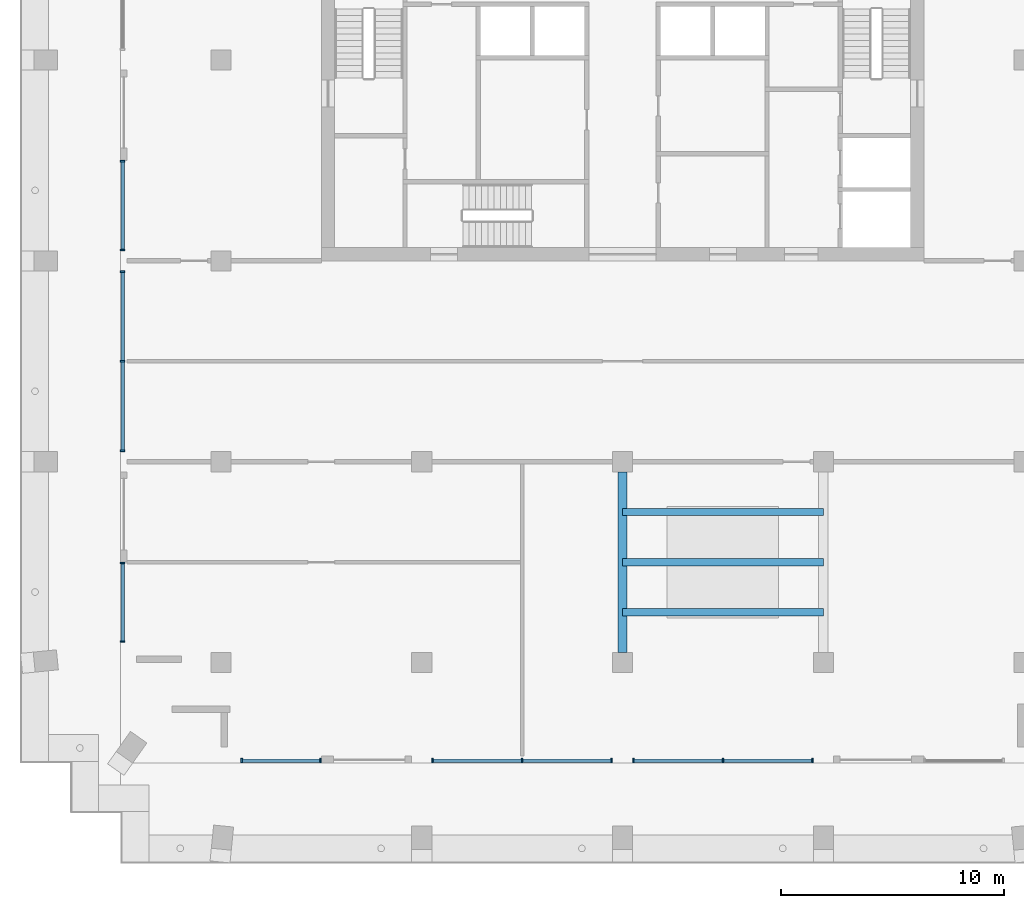
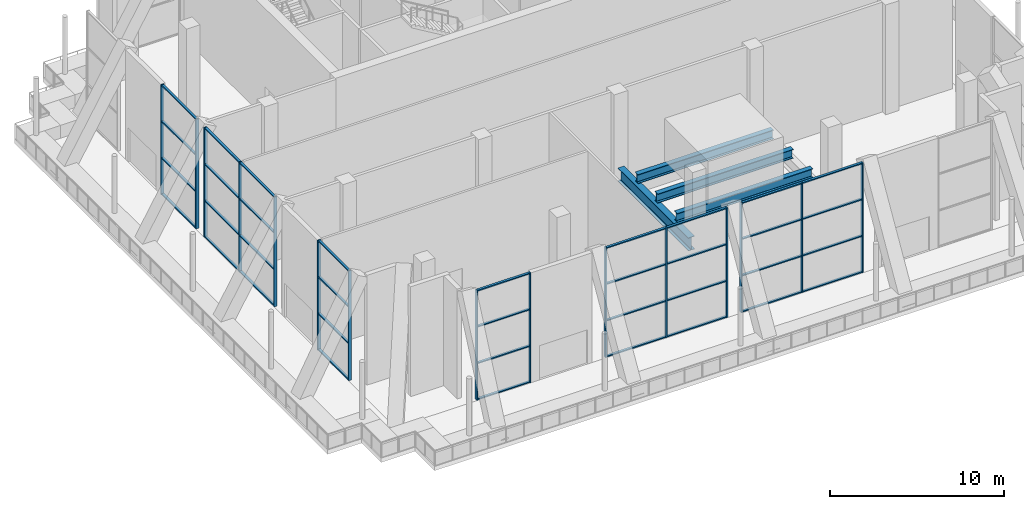
# One storey, part 2 of 12: 51 members, 4 beams, 6 elements without a shape of their own.
"""IFC4 building model written with IfcOpenShell, lengths in metres."""

from ifc_helpers import new_model, si_unit, direction, frame, origin, origin_2d, place, context, subcontext, project, spatial, rectangle, i_section, extrude, material, material_profile, profile_set, type_object, element, aggregate, save


model = new_model("IFC4")

# Units and contexts
model_context = context("Model", 3, precision=1e-05, world=origin(), true_north=direction((0.0, 1.0)))
body_context = subcontext(model_context, "Body", "Model", "MODEL_VIEW")
ifc_project = project(units=[si_unit("LENGTHUNIT", "METRE"), si_unit("AREAUNIT", "SQUARE_METRE"), si_unit("VOLUMEUNIT", "CUBIC_METRE"), si_unit("PLANEANGLEUNIT", "RADIAN"), si_unit("MASSUNIT", "GRAM", prefix="KILO")], contexts=[model_context])

# Site, building, storey
site_placement = place(None, origin())
site = spatial("IfcSite", under=ifc_project, at=site_placement, CompositionType="ELEMENT")
building_placement = place(site_placement, origin())
building = spatial("IfcBuilding", under=site, at=building_placement, Name="Orbiselva Terraces", CompositionType="ELEMENT")
storey_placement = place(building_placement, frame((0.0, 0.0, 289.4)))
storey = spatial("IfcBuildingStorey", under=building, at=storey_placement, Name="L73", CompositionType="ELEMENT", Elevation=289.4)

# Beams
ifc_material_1 = material(Name="Steel ASTM A992 Grade 50", Category="steel")
ifc_material_profile_1 = material_profile(ifc_material_1, i_section(OverallWidth=0.328, OverallDepth=0.64, WebThickness=0.0191, FlangeThickness=0.034, FilletRadius=0.0127, at=origin_2d()), Name="W610X262")
ifc_profile_set_1 = profile_set([ifc_material_profile_1], Name="Steel ASTM A992 Grade 50")
beam_type_1 = type_object("IfcBeamType", Name="DAMPER CROSS BEAM W610X262", PredefinedType="BEAM", material=ifc_profile_set_1)
for number, where, z_axis, x_axis, name in (
    (1, (0.0, -11.25, 2.82), (1.0, 0.0, 0.0), (0.0, 1.0, 0.0), "Damper cross beam 1"),
    (2, (0.0, -9.0, 2.82), (1.0, 0.0, 0.0), (0.0, 1.0, 0.0), "Damper cross beam 2"),
    (3, (0.0, -6.75, 2.82), (1.0, 0.0, 0.0), (0.0, 1.0, 0.0), "Damper cross beam 3"),
):
    element("IfcBeam", number, at=place(storey_placement, frame(where, z_axis=z_axis, x_axis=x_axis)), inside=storey, type_object=beam_type_1, Name=name, PredefinedType="BEAM", context=body_context, shape_type="SweptSolid", body=[
        extrude(i_section(OverallWidth=0.328, OverallDepth=0.64, WebThickness=0.0191, FlangeThickness=0.034, FilletRadius=0.0127, at=origin_2d()), origin(), (0.0, 0.0, 1.0), 9.0),
    ])
ifc_material_profile_2 = material_profile(ifc_material_1, i_section(OverallWidth=0.419, OverallDepth=0.932, WebThickness=0.0203, FlangeThickness=0.0343, FilletRadius=0.0241, at=origin_2d()), Name="W920X368")
ifc_profile_set_2 = profile_set([ifc_material_profile_2], Name="Steel ASTM A992 Grade 50")
beam_type_2 = type_object("IfcBeamType", Name="DAMPER GIRDER W920X368", PredefinedType="BEAM", material=ifc_profile_set_2)
beam_placement = place(storey_placement, frame((0.0, -13.05, 2.034), z_axis=(0.0, 1.0, 0.0), x_axis=(-1.0, 0.0, 0.0)))
element("IfcBeam", 4, at=beam_placement, inside=storey, type_object=beam_type_2, Name="Damper girder 1", PredefinedType="BEAM", context=body_context, shape_type="SweptSolid", body=[
    extrude(i_section(OverallWidth=0.419, OverallDepth=0.932, WebThickness=0.0203, FlangeThickness=0.0343, FilletRadius=0.0241, at=origin_2d()), origin(), (0.0, 0.0, 1.0), 8.1),
])

# Curtain wall, members
ifc_material_2 = material(Name="Clear low-e glazing in aluminium frame", Category="aluminium")
curtain_wall_type = type_object("IfcCurtainWallType", Name="ENV-CW-TMD", PredefinedType="NOTDEFINED", material=ifc_material_2)
curtain_wall_1_placement = place(storey_placement, origin())
curtain_wall_1 = element("IfcCurtainWall", 5, at=curtain_wall_1_placement, inside=storey, type_object=curtain_wall_type, Name="Curtain wall L73 S", PredefinedType="NOTDEFINED")
ifc_material_3 = material(Name="Anodised aluminium", Category="aluminium")
ifc_material_profile_3 = material_profile(ifc_material_3, rectangle(XDim=0.2, YDim=0.075, at=origin_2d()), Name="AL 75x200")
ifc_profile_set_3 = profile_set([ifc_material_profile_3], Name="Anodised aluminium")
member_type_1 = type_object("IfcMemberType", Name="ENV-CW-TMD-MULLION-75x200", PredefinedType="MULLION", material=ifc_profile_set_3)
member_1_placement = place(storey_placement, frame((-17.0625, -17.9, 0.0), z_axis=(0.0, 0.0, 1.0), x_axis=(0.0, 1.0, 0.0)))
member_1 = element("IfcMember", 6, at=member_1_placement, type_object=member_type_1, Name="CW4 mullion 1", PredefinedType="MULLION", context=body_context, shape_type="SweptSolid", body=[
    extrude(rectangle(XDim=0.2, YDim=0.075, at=origin_2d()), origin(), (0.0, 0.0, 1.0), 7.7),
])
member_2_placement = place(storey_placement, frame((-13.5375, -17.9, 0.0), z_axis=(0.0, 0.0, 1.0), x_axis=(0.0, 1.0, 0.0)))
member_2 = element("IfcMember", 7, at=member_2_placement, type_object=member_type_1, Name="CW4 mullion 2", PredefinedType="MULLION", context=body_context, shape_type="SweptSolid", body=[
    extrude(rectangle(XDim=0.2, YDim=0.075, at=origin_2d()), origin(), (0.0, 0.0, 1.0), 7.7),
])

curtain_wall_2_placement = place(storey_placement, origin())
curtain_wall_2 = element("IfcCurtainWall", 8, at=curtain_wall_2_placement, inside=storey, type_object=curtain_wall_type, Name="Curtain wall L73 S", PredefinedType="NOTDEFINED")
member_3_placement = place(storey_placement, frame((-8.5125, -17.9, 0.0), z_axis=(0.0, 0.0, 1.0), x_axis=(0.0, 1.0, 0.0)))
member_3 = element("IfcMember", 9, at=member_3_placement, type_object=member_type_1, Name="CW4 mullion 1", PredefinedType="MULLION", context=body_context, shape_type="SweptSolid", body=[
    extrude(rectangle(XDim=0.2, YDim=0.075, at=origin_2d()), origin(), (0.0, 0.0, 1.0), 7.7),
])
member_4_placement = place(storey_placement, frame((-4.5, -17.9, 0.0), z_axis=(0.0, 0.0, 1.0), x_axis=(0.0, 1.0, 0.0)))
member_4 = element("IfcMember", 10, at=member_4_placement, type_object=member_type_1, Name="CW4 mullion 2", PredefinedType="MULLION", context=body_context, shape_type="SweptSolid", body=[
    extrude(rectangle(XDim=0.2, YDim=0.075, at=origin_2d()), origin(), (0.0, 0.0, 1.0), 7.7),
])
member_5_placement = place(storey_placement, frame((-0.4875, -17.9, 0.0), z_axis=(0.0, 0.0, 1.0), x_axis=(0.0, 1.0, 0.0)))
member_5 = element("IfcMember", 11, at=member_5_placement, type_object=member_type_1, Name="CW4 mullion 3", PredefinedType="MULLION", context=body_context, shape_type="SweptSolid", body=[
    extrude(rectangle(XDim=0.2, YDim=0.075, at=origin_2d()), origin(), (0.0, 0.0, 1.0), 7.7),
])

curtain_wall_3_placement = place(storey_placement, origin())
curtain_wall_3 = element("IfcCurtainWall", 12, at=curtain_wall_3_placement, inside=storey, type_object=curtain_wall_type, Name="Curtain wall L73 S", PredefinedType="NOTDEFINED")
member_6_placement = place(storey_placement, frame((0.4875, -17.9, 0.0), z_axis=(0.0, 0.0, 1.0), x_axis=(0.0, 1.0, 0.0)))
member_6 = element("IfcMember", 13, at=member_6_placement, type_object=member_type_1, Name="CW4 mullion 1", PredefinedType="MULLION", context=body_context, shape_type="SweptSolid", body=[
    extrude(rectangle(XDim=0.2, YDim=0.075, at=origin_2d()), origin(), (0.0, 0.0, 1.0), 7.7),
])
member_7_placement = place(storey_placement, frame((4.5, -17.9, 0.0), z_axis=(0.0, 0.0, 1.0), x_axis=(0.0, 1.0, 0.0)))
member_7 = element("IfcMember", 14, at=member_7_placement, type_object=member_type_1, Name="CW4 mullion 2", PredefinedType="MULLION", context=body_context, shape_type="SweptSolid", body=[
    extrude(rectangle(XDim=0.2, YDim=0.075, at=origin_2d()), origin(), (0.0, 0.0, 1.0), 7.7),
])
member_8_placement = place(storey_placement, frame((8.5125, -17.9, 0.0), z_axis=(0.0, 0.0, 1.0), x_axis=(0.0, 1.0, 0.0)))
member_8 = element("IfcMember", 15, at=member_8_placement, type_object=member_type_1, Name="CW4 mullion 3", PredefinedType="MULLION", context=body_context, shape_type="SweptSolid", body=[
    extrude(rectangle(XDim=0.2, YDim=0.075, at=origin_2d()), origin(), (0.0, 0.0, 1.0), 7.7),
])

curtain_wall_4_placement = place(storey_placement, origin())
curtain_wall_4 = element("IfcCurtainWall", 16, at=curtain_wall_4_placement, inside=storey, type_object=curtain_wall_type, Name="Curtain wall L73 W", PredefinedType="NOTDEFINED")
member_9_placement = place(storey_placement, frame((-22.4, 8.9625, 0.0), z_axis=(0.0, 0.0, 1.0), x_axis=(1.0, 0.0, 0.0)))
member_9 = element("IfcMember", 17, at=member_9_placement, type_object=member_type_1, Name="CW4 mullion 1", PredefinedType="MULLION", context=body_context, shape_type="SweptSolid", body=[
    extrude(rectangle(XDim=0.2, YDim=0.075, at=origin_2d()), origin(), (0.0, 0.0, 1.0), 7.7),
])
member_10_placement = place(storey_placement, frame((-22.4, 4.9875, 0.0), z_axis=(0.0, 0.0, 1.0), x_axis=(1.0, 0.0, 0.0)))
member_10 = element("IfcMember", 18, at=member_10_placement, type_object=member_type_1, Name="CW4 mullion 2", PredefinedType="MULLION", context=body_context, shape_type="SweptSolid", body=[
    extrude(rectangle(XDim=0.2, YDim=0.075, at=origin_2d()), origin(), (0.0, 0.0, 1.0), 7.7),
])

curtain_wall_5_placement = place(storey_placement, origin())
curtain_wall_5 = element("IfcCurtainWall", 19, at=curtain_wall_5_placement, inside=storey, type_object=curtain_wall_type, Name="Curtain wall L73 W", PredefinedType="NOTDEFINED")
member_11_placement = place(storey_placement, frame((-22.4, 4.0125, 0.0), z_axis=(0.0, 0.0, 1.0), x_axis=(1.0, 0.0, 0.0)))
member_11 = element("IfcMember", 20, at=member_11_placement, type_object=member_type_1, Name="CW4 mullion 1", PredefinedType="MULLION", context=body_context, shape_type="SweptSolid", body=[
    extrude(rectangle(XDim=0.2, YDim=0.075, at=origin_2d()), origin(), (0.0, 0.0, 1.0), 7.7),
])
member_12_placement = place(storey_placement, frame((-22.4, 0.0, 0.0), z_axis=(0.0, 0.0, 1.0), x_axis=(1.0, 0.0, 0.0)))
member_12 = element("IfcMember", 21, at=member_12_placement, type_object=member_type_1, Name="CW4 mullion 2", PredefinedType="MULLION", context=body_context, shape_type="SweptSolid", body=[
    extrude(rectangle(XDim=0.2, YDim=0.075, at=origin_2d()), origin(), (0.0, 0.0, 1.0), 7.7),
])
member_13_placement = place(storey_placement, frame((-22.4, -4.0125, 0.0), z_axis=(0.0, 0.0, 1.0), x_axis=(1.0, 0.0, 0.0)))
member_13 = element("IfcMember", 22, at=member_13_placement, type_object=member_type_1, Name="CW4 mullion 3", PredefinedType="MULLION", context=body_context, shape_type="SweptSolid", body=[
    extrude(rectangle(XDim=0.2, YDim=0.075, at=origin_2d()), origin(), (0.0, 0.0, 1.0), 7.7),
])

curtain_wall_6_placement = place(storey_placement, origin())
curtain_wall_6 = element("IfcCurtainWall", 23, at=curtain_wall_6_placement, inside=storey, type_object=curtain_wall_type, Name="Curtain wall L73 W", PredefinedType="NOTDEFINED")
member_14_placement = place(storey_placement, frame((-22.4, -9.0375, 0.0), z_axis=(0.0, 0.0, 1.0), x_axis=(1.0, 0.0, 0.0)))
member_14 = element("IfcMember", 24, at=member_14_placement, type_object=member_type_1, Name="CW4 mullion 1", PredefinedType="MULLION", context=body_context, shape_type="SweptSolid", body=[
    extrude(rectangle(XDim=0.2, YDim=0.075, at=origin_2d()), origin(), (0.0, 0.0, 1.0), 7.7),
])
member_15_placement = place(storey_placement, frame((-22.4, -12.5625, 0.0), z_axis=(0.0, 0.0, 1.0), x_axis=(1.0, 0.0, 0.0)))
member_15 = element("IfcMember", 25, at=member_15_placement, type_object=member_type_1, Name="CW4 mullion 2", PredefinedType="MULLION", context=body_context, shape_type="SweptSolid", body=[
    extrude(rectangle(XDim=0.2, YDim=0.075, at=origin_2d()), origin(), (0.0, 0.0, 1.0), 7.7),
])

# Member
ifc_material_profile_4 = material_profile(ifc_material_3, rectangle(XDim=0.16, YDim=0.075, at=origin_2d()), Name="AL 75x160")
ifc_profile_set_4 = profile_set([ifc_material_profile_4], Name="Anodised aluminium")
member_type_2 = type_object("IfcMemberType", Name="ENV-CW-TMD-TRANSOM-75x160", PredefinedType="USERDEFINED", material=ifc_profile_set_4)
member_16_placement = place(storey_placement, frame((-17.025, -17.9, 0.0375), z_axis=(1.0, 0.0, 0.0), x_axis=(0.0, 1.0, 0.0)))
member_16 = element("IfcMember", 26, at=member_16_placement, type_object=member_type_2, Name="CW4 transom 1.1", ObjectType="TRANSOM", PredefinedType="USERDEFINED", context=body_context, shape_type="SweptSolid", body=[
    extrude(rectangle(XDim=0.16, YDim=0.075, at=origin_2d()), origin(), (0.0, 0.0, 1.0), 3.45),
])

member_17_placement = place(storey_placement, frame((-17.025, -17.9, 2.566667), z_axis=(1.0, 0.0, 0.0), x_axis=(0.0, 1.0, 0.0)))
member_17 = element("IfcMember", 27, at=member_17_placement, type_object=member_type_2, Name="CW4 transom 1.2", ObjectType="TRANSOM", PredefinedType="USERDEFINED", context=body_context, shape_type="SweptSolid", body=[
    extrude(rectangle(XDim=0.16, YDim=0.075, at=origin_2d()), origin(), (0.0, 0.0, 1.0), 3.45),
])

member_18_placement = place(storey_placement, frame((-17.025, -17.9, 5.133333), z_axis=(1.0, 0.0, 0.0), x_axis=(0.0, 1.0, 0.0)))
member_18 = element("IfcMember", 28, at=member_18_placement, type_object=member_type_2, Name="CW4 transom 1.3", ObjectType="TRANSOM", PredefinedType="USERDEFINED", context=body_context, shape_type="SweptSolid", body=[
    extrude(rectangle(XDim=0.16, YDim=0.075, at=origin_2d()), origin(), (0.0, 0.0, 1.0), 3.45),
])

member_19_placement = place(storey_placement, frame((-17.025, -17.9, 7.6625), z_axis=(1.0, 0.0, 0.0), x_axis=(0.0, 1.0, 0.0)))
member_19 = element("IfcMember", 29, at=member_19_placement, type_object=member_type_2, Name="CW4 transom 1.4", ObjectType="TRANSOM", PredefinedType="USERDEFINED", context=body_context, shape_type="SweptSolid", body=[
    extrude(rectangle(XDim=0.16, YDim=0.075, at=origin_2d()), origin(), (0.0, 0.0, 1.0), 3.45),
])

aggregate(curtain_wall_1, [member_1, member_2, member_16, member_17, member_18, member_19])

member_20_placement = place(storey_placement, frame((-8.475, -17.9, 0.0375), z_axis=(1.0, 0.0, 0.0), x_axis=(0.0, 1.0, 0.0)))
member_20 = element("IfcMember", 30, at=member_20_placement, type_object=member_type_2, Name="CW4 transom 1.1", ObjectType="TRANSOM", PredefinedType="USERDEFINED", context=body_context, shape_type="SweptSolid", body=[
    extrude(rectangle(XDim=0.16, YDim=0.075, at=origin_2d()), origin(), (0.0, 0.0, 1.0), 3.9375),
])

member_21_placement = place(storey_placement, frame((-8.475, -17.9, 2.566667), z_axis=(1.0, 0.0, 0.0), x_axis=(0.0, 1.0, 0.0)))
member_21 = element("IfcMember", 31, at=member_21_placement, type_object=member_type_2, Name="CW4 transom 1.2", ObjectType="TRANSOM", PredefinedType="USERDEFINED", context=body_context, shape_type="SweptSolid", body=[
    extrude(rectangle(XDim=0.16, YDim=0.075, at=origin_2d()), origin(), (0.0, 0.0, 1.0), 3.9375),
])

member_22_placement = place(storey_placement, frame((-8.475, -17.9, 5.133333), z_axis=(1.0, 0.0, 0.0), x_axis=(0.0, 1.0, 0.0)))
member_22 = element("IfcMember", 32, at=member_22_placement, type_object=member_type_2, Name="CW4 transom 1.3", ObjectType="TRANSOM", PredefinedType="USERDEFINED", context=body_context, shape_type="SweptSolid", body=[
    extrude(rectangle(XDim=0.16, YDim=0.075, at=origin_2d()), origin(), (0.0, 0.0, 1.0), 3.9375),
])

member_23_placement = place(storey_placement, frame((-8.475, -17.9, 7.6625), z_axis=(1.0, 0.0, 0.0), x_axis=(0.0, 1.0, 0.0)))
member_23 = element("IfcMember", 33, at=member_23_placement, type_object=member_type_2, Name="CW4 transom 1.4", ObjectType="TRANSOM", PredefinedType="USERDEFINED", context=body_context, shape_type="SweptSolid", body=[
    extrude(rectangle(XDim=0.16, YDim=0.075, at=origin_2d()), origin(), (0.0, 0.0, 1.0), 3.9375),
])

member_24_placement = place(storey_placement, frame((-4.4625, -17.9, 0.0375), z_axis=(1.0, 0.0, 0.0), x_axis=(0.0, 1.0, 0.0)))
member_24 = element("IfcMember", 34, at=member_24_placement, type_object=member_type_2, Name="CW4 transom 2.1", ObjectType="TRANSOM", PredefinedType="USERDEFINED", context=body_context, shape_type="SweptSolid", body=[
    extrude(rectangle(XDim=0.16, YDim=0.075, at=origin_2d()), origin(), (0.0, 0.0, 1.0), 3.9375),
])

member_25_placement = place(storey_placement, frame((-4.4625, -17.9, 2.566667), z_axis=(1.0, 0.0, 0.0), x_axis=(0.0, 1.0, 0.0)))
member_25 = element("IfcMember", 35, at=member_25_placement, type_object=member_type_2, Name="CW4 transom 2.2", ObjectType="TRANSOM", PredefinedType="USERDEFINED", context=body_context, shape_type="SweptSolid", body=[
    extrude(rectangle(XDim=0.16, YDim=0.075, at=origin_2d()), origin(), (0.0, 0.0, 1.0), 3.9375),
])

member_26_placement = place(storey_placement, frame((-4.4625, -17.9, 5.133333), z_axis=(1.0, 0.0, 0.0), x_axis=(0.0, 1.0, 0.0)))
member_26 = element("IfcMember", 36, at=member_26_placement, type_object=member_type_2, Name="CW4 transom 2.3", ObjectType="TRANSOM", PredefinedType="USERDEFINED", context=body_context, shape_type="SweptSolid", body=[
    extrude(rectangle(XDim=0.16, YDim=0.075, at=origin_2d()), origin(), (0.0, 0.0, 1.0), 3.9375),
])

member_27_placement = place(storey_placement, frame((-4.4625, -17.9, 7.6625), z_axis=(1.0, 0.0, 0.0), x_axis=(0.0, 1.0, 0.0)))
member_27 = element("IfcMember", 37, at=member_27_placement, type_object=member_type_2, Name="CW4 transom 2.4", ObjectType="TRANSOM", PredefinedType="USERDEFINED", context=body_context, shape_type="SweptSolid", body=[
    extrude(rectangle(XDim=0.16, YDim=0.075, at=origin_2d()), origin(), (0.0, 0.0, 1.0), 3.9375),
])

aggregate(curtain_wall_2, [member_3, member_4, member_5, member_20, member_21, member_22, member_23, member_24, member_25, member_26, member_27])

member_28_placement = place(storey_placement, frame((0.525, -17.9, 0.0375), z_axis=(1.0, 0.0, 0.0), x_axis=(0.0, 1.0, 0.0)))
member_28 = element("IfcMember", 38, at=member_28_placement, type_object=member_type_2, Name="CW4 transom 1.1", ObjectType="TRANSOM", PredefinedType="USERDEFINED", context=body_context, shape_type="SweptSolid", body=[
    extrude(rectangle(XDim=0.16, YDim=0.075, at=origin_2d()), origin(), (0.0, 0.0, 1.0), 3.9375),
])

member_29_placement = place(storey_placement, frame((0.525, -17.9, 2.566667), z_axis=(1.0, 0.0, 0.0), x_axis=(0.0, 1.0, 0.0)))
member_29 = element("IfcMember", 39, at=member_29_placement, type_object=member_type_2, Name="CW4 transom 1.2", ObjectType="TRANSOM", PredefinedType="USERDEFINED", context=body_context, shape_type="SweptSolid", body=[
    extrude(rectangle(XDim=0.16, YDim=0.075, at=origin_2d()), origin(), (0.0, 0.0, 1.0), 3.9375),
])

member_30_placement = place(storey_placement, frame((0.525, -17.9, 5.133333), z_axis=(1.0, 0.0, 0.0), x_axis=(0.0, 1.0, 0.0)))
member_30 = element("IfcMember", 40, at=member_30_placement, type_object=member_type_2, Name="CW4 transom 1.3", ObjectType="TRANSOM", PredefinedType="USERDEFINED", context=body_context, shape_type="SweptSolid", body=[
    extrude(rectangle(XDim=0.16, YDim=0.075, at=origin_2d()), origin(), (0.0, 0.0, 1.0), 3.9375),
])

member_31_placement = place(storey_placement, frame((0.525, -17.9, 7.6625), z_axis=(1.0, 0.0, 0.0), x_axis=(0.0, 1.0, 0.0)))
member_31 = element("IfcMember", 41, at=member_31_placement, type_object=member_type_2, Name="CW4 transom 1.4", ObjectType="TRANSOM", PredefinedType="USERDEFINED", context=body_context, shape_type="SweptSolid", body=[
    extrude(rectangle(XDim=0.16, YDim=0.075, at=origin_2d()), origin(), (0.0, 0.0, 1.0), 3.9375),
])

member_32_placement = place(storey_placement, frame((4.5375, -17.9, 0.0375), z_axis=(1.0, 0.0, 0.0), x_axis=(0.0, 1.0, 0.0)))
member_32 = element("IfcMember", 42, at=member_32_placement, type_object=member_type_2, Name="CW4 transom 2.1", ObjectType="TRANSOM", PredefinedType="USERDEFINED", context=body_context, shape_type="SweptSolid", body=[
    extrude(rectangle(XDim=0.16, YDim=0.075, at=origin_2d()), origin(), (0.0, 0.0, 1.0), 3.9375),
])

member_33_placement = place(storey_placement, frame((4.5375, -17.9, 2.566667), z_axis=(1.0, 0.0, 0.0), x_axis=(0.0, 1.0, 0.0)))
member_33 = element("IfcMember", 43, at=member_33_placement, type_object=member_type_2, Name="CW4 transom 2.2", ObjectType="TRANSOM", PredefinedType="USERDEFINED", context=body_context, shape_type="SweptSolid", body=[
    extrude(rectangle(XDim=0.16, YDim=0.075, at=origin_2d()), origin(), (0.0, 0.0, 1.0), 3.9375),
])

member_34_placement = place(storey_placement, frame((4.5375, -17.9, 5.133333), z_axis=(1.0, 0.0, 0.0), x_axis=(0.0, 1.0, 0.0)))
member_34 = element("IfcMember", 44, at=member_34_placement, type_object=member_type_2, Name="CW4 transom 2.3", ObjectType="TRANSOM", PredefinedType="USERDEFINED", context=body_context, shape_type="SweptSolid", body=[
    extrude(rectangle(XDim=0.16, YDim=0.075, at=origin_2d()), origin(), (0.0, 0.0, 1.0), 3.9375),
])

member_35_placement = place(storey_placement, frame((4.5375, -17.9, 7.6625), z_axis=(1.0, 0.0, 0.0), x_axis=(0.0, 1.0, 0.0)))
member_35 = element("IfcMember", 45, at=member_35_placement, type_object=member_type_2, Name="CW4 transom 2.4", ObjectType="TRANSOM", PredefinedType="USERDEFINED", context=body_context, shape_type="SweptSolid", body=[
    extrude(rectangle(XDim=0.16, YDim=0.075, at=origin_2d()), origin(), (0.0, 0.0, 1.0), 3.9375),
])

aggregate(curtain_wall_3, [member_6, member_7, member_8, member_28, member_29, member_30, member_31, member_32, member_33, member_34, member_35])

member_36_placement = place(storey_placement, frame((-22.4, 8.925, 0.0375), z_axis=(0.0, -1.0, 0.0), x_axis=(1.0, 0.0, 0.0)))
member_36 = element("IfcMember", 46, at=member_36_placement, type_object=member_type_2, Name="CW4 transom 1.1", ObjectType="TRANSOM", PredefinedType="USERDEFINED", context=body_context, shape_type="SweptSolid", body=[
    extrude(rectangle(XDim=0.16, YDim=0.075, at=origin_2d()), origin(), (0.0, 0.0, 1.0), 3.9),
])

member_37_placement = place(storey_placement, frame((-22.4, 8.925, 2.566667), z_axis=(0.0, -1.0, 0.0), x_axis=(1.0, 0.0, 0.0)))
member_37 = element("IfcMember", 47, at=member_37_placement, type_object=member_type_2, Name="CW4 transom 1.2", ObjectType="TRANSOM", PredefinedType="USERDEFINED", context=body_context, shape_type="SweptSolid", body=[
    extrude(rectangle(XDim=0.16, YDim=0.075, at=origin_2d()), origin(), (0.0, 0.0, 1.0), 3.9),
])

member_38_placement = place(storey_placement, frame((-22.4, 8.925, 5.133333), z_axis=(0.0, -1.0, 0.0), x_axis=(1.0, 0.0, 0.0)))
member_38 = element("IfcMember", 48, at=member_38_placement, type_object=member_type_2, Name="CW4 transom 1.3", ObjectType="TRANSOM", PredefinedType="USERDEFINED", context=body_context, shape_type="SweptSolid", body=[
    extrude(rectangle(XDim=0.16, YDim=0.075, at=origin_2d()), origin(), (0.0, 0.0, 1.0), 3.9),
])

member_39_placement = place(storey_placement, frame((-22.4, 8.925, 7.6625), z_axis=(0.0, -1.0, 0.0), x_axis=(1.0, 0.0, 0.0)))
member_39 = element("IfcMember", 49, at=member_39_placement, type_object=member_type_2, Name="CW4 transom 1.4", ObjectType="TRANSOM", PredefinedType="USERDEFINED", context=body_context, shape_type="SweptSolid", body=[
    extrude(rectangle(XDim=0.16, YDim=0.075, at=origin_2d()), origin(), (0.0, 0.0, 1.0), 3.9),
])

aggregate(curtain_wall_4, [member_9, member_10, member_36, member_37, member_38, member_39])

member_40_placement = place(storey_placement, frame((-22.4, 3.975, 0.0375), z_axis=(0.0, -1.0, 0.0), x_axis=(1.0, 0.0, 0.0)))
member_40 = element("IfcMember", 50, at=member_40_placement, type_object=member_type_2, Name="CW4 transom 1.1", ObjectType="TRANSOM", PredefinedType="USERDEFINED", context=body_context, shape_type="SweptSolid", body=[
    extrude(rectangle(XDim=0.16, YDim=0.075, at=origin_2d()), origin(), (0.0, 0.0, 1.0), 3.9375),
])

member_41_placement = place(storey_placement, frame((-22.4, 3.975, 2.566667), z_axis=(0.0, -1.0, 0.0), x_axis=(1.0, 0.0, 0.0)))
member_41 = element("IfcMember", 51, at=member_41_placement, type_object=member_type_2, Name="CW4 transom 1.2", ObjectType="TRANSOM", PredefinedType="USERDEFINED", context=body_context, shape_type="SweptSolid", body=[
    extrude(rectangle(XDim=0.16, YDim=0.075, at=origin_2d()), origin(), (0.0, 0.0, 1.0), 3.9375),
])

member_42_placement = place(storey_placement, frame((-22.4, 3.975, 5.133333), z_axis=(0.0, -1.0, 0.0), x_axis=(1.0, 0.0, 0.0)))
member_42 = element("IfcMember", 52, at=member_42_placement, type_object=member_type_2, Name="CW4 transom 1.3", ObjectType="TRANSOM", PredefinedType="USERDEFINED", context=body_context, shape_type="SweptSolid", body=[
    extrude(rectangle(XDim=0.16, YDim=0.075, at=origin_2d()), origin(), (0.0, 0.0, 1.0), 3.9375),
])

member_43_placement = place(storey_placement, frame((-22.4, 3.975, 7.6625), z_axis=(0.0, -1.0, 0.0), x_axis=(1.0, 0.0, 0.0)))
member_43 = element("IfcMember", 53, at=member_43_placement, type_object=member_type_2, Name="CW4 transom 1.4", ObjectType="TRANSOM", PredefinedType="USERDEFINED", context=body_context, shape_type="SweptSolid", body=[
    extrude(rectangle(XDim=0.16, YDim=0.075, at=origin_2d()), origin(), (0.0, 0.0, 1.0), 3.9375),
])

member_44_placement = place(storey_placement, frame((-22.4, -0.0375, 0.0375), z_axis=(0.0, -1.0, 0.0), x_axis=(1.0, 0.0, 0.0)))
member_44 = element("IfcMember", 54, at=member_44_placement, type_object=member_type_2, Name="CW4 transom 2.1", ObjectType="TRANSOM", PredefinedType="USERDEFINED", context=body_context, shape_type="SweptSolid", body=[
    extrude(rectangle(XDim=0.16, YDim=0.075, at=origin_2d()), origin(), (0.0, 0.0, 1.0), 3.9375),
])

member_45_placement = place(storey_placement, frame((-22.4, -0.0375, 2.566667), z_axis=(0.0, -1.0, 0.0), x_axis=(1.0, 0.0, 0.0)))
member_45 = element("IfcMember", 55, at=member_45_placement, type_object=member_type_2, Name="CW4 transom 2.2", ObjectType="TRANSOM", PredefinedType="USERDEFINED", context=body_context, shape_type="SweptSolid", body=[
    extrude(rectangle(XDim=0.16, YDim=0.075, at=origin_2d()), origin(), (0.0, 0.0, 1.0), 3.9375),
])

member_46_placement = place(storey_placement, frame((-22.4, -0.0375, 5.133333), z_axis=(0.0, -1.0, 0.0), x_axis=(1.0, 0.0, 0.0)))
member_46 = element("IfcMember", 56, at=member_46_placement, type_object=member_type_2, Name="CW4 transom 2.3", ObjectType="TRANSOM", PredefinedType="USERDEFINED", context=body_context, shape_type="SweptSolid", body=[
    extrude(rectangle(XDim=0.16, YDim=0.075, at=origin_2d()), origin(), (0.0, 0.0, 1.0), 3.9375),
])

member_47_placement = place(storey_placement, frame((-22.4, -0.0375, 7.6625), z_axis=(0.0, -1.0, 0.0), x_axis=(1.0, 0.0, 0.0)))
member_47 = element("IfcMember", 57, at=member_47_placement, type_object=member_type_2, Name="CW4 transom 2.4", ObjectType="TRANSOM", PredefinedType="USERDEFINED", context=body_context, shape_type="SweptSolid", body=[
    extrude(rectangle(XDim=0.16, YDim=0.075, at=origin_2d()), origin(), (0.0, 0.0, 1.0), 3.9375),
])

aggregate(curtain_wall_5, [member_11, member_12, member_13, member_40, member_41, member_42, member_43, member_44, member_45, member_46, member_47])

member_48_placement = place(storey_placement, frame((-22.4, -9.075, 0.0375), z_axis=(0.0, -1.0, 0.0), x_axis=(1.0, 0.0, 0.0)))
member_48 = element("IfcMember", 58, at=member_48_placement, type_object=member_type_2, Name="CW4 transom 1.1", ObjectType="TRANSOM", PredefinedType="USERDEFINED", context=body_context, shape_type="SweptSolid", body=[
    extrude(rectangle(XDim=0.16, YDim=0.075, at=origin_2d()), origin(), (0.0, 0.0, 1.0), 3.45),
])

member_49_placement = place(storey_placement, frame((-22.4, -9.075, 2.566667), z_axis=(0.0, -1.0, 0.0), x_axis=(1.0, 0.0, 0.0)))
member_49 = element("IfcMember", 59, at=member_49_placement, type_object=member_type_2, Name="CW4 transom 1.2", ObjectType="TRANSOM", PredefinedType="USERDEFINED", context=body_context, shape_type="SweptSolid", body=[
    extrude(rectangle(XDim=0.16, YDim=0.075, at=origin_2d()), origin(), (0.0, 0.0, 1.0), 3.45),
])

member_50_placement = place(storey_placement, frame((-22.4, -9.075, 5.133333), z_axis=(0.0, -1.0, 0.0), x_axis=(1.0, 0.0, 0.0)))
member_50 = element("IfcMember", 60, at=member_50_placement, type_object=member_type_2, Name="CW4 transom 1.3", ObjectType="TRANSOM", PredefinedType="USERDEFINED", context=body_context, shape_type="SweptSolid", body=[
    extrude(rectangle(XDim=0.16, YDim=0.075, at=origin_2d()), origin(), (0.0, 0.0, 1.0), 3.45),
])

member_51_placement = place(storey_placement, frame((-22.4, -9.075, 7.6625), z_axis=(0.0, -1.0, 0.0), x_axis=(1.0, 0.0, 0.0)))
member_51 = element("IfcMember", 61, at=member_51_placement, type_object=member_type_2, Name="CW4 transom 1.4", ObjectType="TRANSOM", PredefinedType="USERDEFINED", context=body_context, shape_type="SweptSolid", body=[
    extrude(rectangle(XDim=0.16, YDim=0.075, at=origin_2d()), origin(), (0.0, 0.0, 1.0), 3.45),
])

aggregate(curtain_wall_6, [member_14, member_15, member_48, member_49, member_50, member_51])

save(model, "model.ifc")
